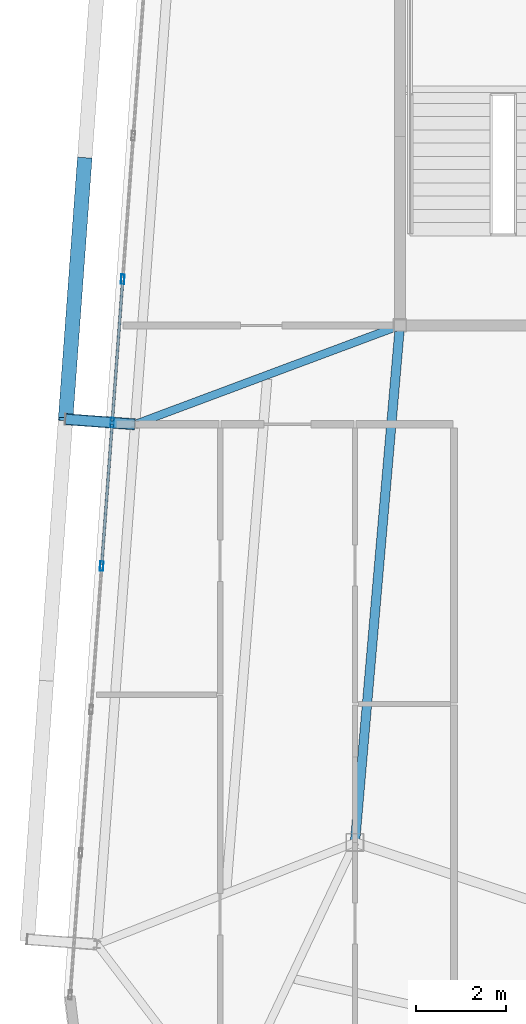
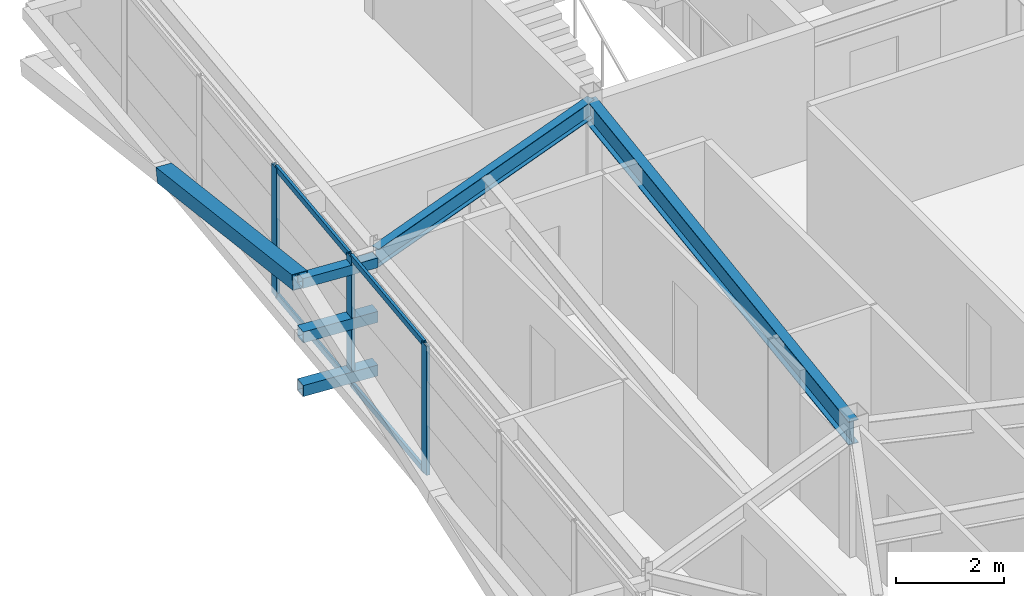
# One storey, part 15 of 42: 11 members, 2 beams, 1 element without a shape of its own.
"""IFC4 building model written with IfcOpenShell, lengths in metres."""

from ifc_helpers import new_model, si_unit, direction, frame, origin, origin_2d, place, context, subcontext, project, spatial, hollow_rectangle, i_section, extrude, source, transform, mapped, material, layer, layer_set, material_profile, profile_set, type_object, element, aggregate, save


model = new_model("IFC4")

# Units and contexts
model_context = context("Model", 3, precision=1e-05, world=origin(), true_north=direction((0.0, 1.0)))
body_context = subcontext(model_context, "Body", "Model", "MODEL_VIEW")
ifc_project = project(units=[si_unit("LENGTHUNIT", "METRE"), si_unit("AREAUNIT", "SQUARE_METRE"), si_unit("VOLUMEUNIT", "CUBIC_METRE"), si_unit("PLANEANGLEUNIT", "RADIAN"), si_unit("MASSUNIT", "GRAM", prefix="KILO")], contexts=[model_context])

# Site, building, storey
site_placement = place(None, origin())
site = spatial("IfcSite", under=ifc_project, at=site_placement, CompositionType="ELEMENT")
building_placement = place(site_placement, origin())
building = spatial("IfcBuilding", under=site, at=building_placement, Name="Taldren Reach Tower", CompositionType="ELEMENT")
storey_placement = place(building_placement, frame((0.0, 0.0, 224.0)))
storey = spatial("IfcBuildingStorey", under=building, at=storey_placement, Name="L68", CompositionType="ELEMENT", Elevation=224.0)

# Beams
ifc_material_1 = material(Name="Steel Gr 350 (350PLUS)", Category="steel")
ifc_material_profile_1 = material_profile(ifc_material_1, i_section(OverallWidth=0.208984375, OverallDepth=0.532958984375, WebThickness=0.01025390625, FlangeThickness=0.015625, at=origin_2d()), Name="530UB92.4")
ifc_profile_set_1 = profile_set([ifc_material_profile_1], Name="Steel Gr 350 (350PLUS)")
beam_type_1 = type_object("IfcBeamType", Name="BM-UB530A", PredefinedType="BEAM", material=ifc_profile_set_1)
shared_shape_1 = source(origin(), body_context, "Body", "SweptSolid", [
    extrude(i_section(OverallWidth=0.208984375, OverallDepth=0.532958984375, WebThickness=0.01025390625, FlangeThickness=0.015625, at=origin_2d()), origin(), (0.0, 0.0, 1.0), 11.54345703125),
])
beam_1_placement = place(storey_placement, frame((19.0, 24.0, 2.66357421875), z_axis=(-0.086629616365, -0.996240588196, 0.0), x_axis=(0.996240588196, -0.086629616365, 0.0)))
element("IfcBeam", 1, at=beam_1_placement, inside=storey, type_object=beam_type_1, Name="Core-spine girder L68-SP09", PredefinedType="BEAM", context=body_context, shape_type="MappedRepresentation", body=[
    mapped(shared_shape_1, transform((0.0, 0.0, 0.0), scale=1.0)),
])
ifc_material_profile_2 = material_profile(ifc_material_1, i_section(OverallWidth=0.177978515625, OverallDepth=0.406005859375, WebThickness=0.0078125, FlangeThickness=0.0126953125, at=origin_2d()), Name="410UB59.7")
ifc_profile_set_2 = profile_set([ifc_material_profile_2], Name="Steel Gr 350 (350PLUS)")
beam_type_2 = type_object("IfcBeamType", Name="BM-UB410", PredefinedType="BEAM", material=ifc_profile_set_2)
shared_shape_2 = source(origin(), body_context, "Body", "SweptSolid", [
    extrude(i_section(OverallWidth=0.177978515625, OverallDepth=0.406005859375, WebThickness=0.0078125, FlangeThickness=0.0126953125, at=origin_2d()), origin(), (0.0, 0.0, 1.0), 6.28857421875),
])
beam_2_placement = place(storey_placement, frame((19.0, 24.0, 2.72705078125), z_axis=(-0.936827605945, -0.349791418904, 0.0), x_axis=(0.349791418904, -0.936827605945, 0.0)))
element("IfcBeam", 2, at=beam_2_placement, inside=storey, type_object=beam_type_2, Name="Primary floor girder B5-W2 L68", PredefinedType="BEAM", context=body_context, shape_type="MappedRepresentation", body=[
    mapped(shared_shape_2, transform((0.0, 0.0, 0.0), scale=1.0)),
])

# Members
ifc_material_2 = material(Name="Steel Gr 450 (C450L0)", Category="steel")
ifc_material_profile_3 = material_profile(ifc_material_2, hollow_rectangle(XDim=0.219970703125, YDim=0.219970703125, WallThickness=0.00830078125, at=origin_2d()), Name="220x220x8.2SHS")
ifc_profile_set_3 = profile_set([ifc_material_profile_3], Name="Steel Gr 450 (C450L0)")
member_type_1 = type_object("IfcMemberType", Name="MB-TIE219", PredefinedType="STRUT", material=ifc_profile_set_3)
shared_shape_3 = source(origin(), body_context, "Body", "SweptSolid", [
    extrude(hollow_rectangle(XDim=0.219970703125, YDim=0.219970703125, WallThickness=0.00830078125, at=origin_2d()), origin(), (0.0, 0.0, 1.0), 1.546142578125),
])
member_1_placement = place(storey_placement, frame((13.104736328125, 21.800537109375, 2.64990234375), z_axis=(-0.997312378271, 0.073266773831, 0.0), x_axis=(-0.073266773831, -0.997312378271, 0.0)))
element("IfcMember", 3, at=member_1_placement, inside=storey, type_object=member_type_1, Name="Exoskeleton diaphragm tie strut B5-W2 L68", PredefinedType="STRUT", context=body_context, shape_type="MappedRepresentation", body=[
    mapped(shared_shape_3, transform((0.0, 0.0, 0.0), scale=1.0)),
])
ifc_material_profile_4 = material_profile(ifc_material_2, hollow_rectangle(XDim=0.324951171875, YDim=0.324951171875, WallThickness=0.0126953125, at=origin_2d()), Name="325x325x12.7SHS")
ifc_profile_set_4 = profile_set([ifc_material_profile_4], Name="Steel Gr 450 (C450L0)")
member_type_2 = type_object("IfcMemberType", Name="MB-BR324", PredefinedType="BRACE", material=ifc_profile_set_4)
shared_shape_4 = source(origin(), body_context, "Body", "SweptSolid", [
    extrude(hollow_rectangle(XDim=0.324951171875, YDim=0.324951171875, WallThickness=0.0126953125, at=origin_2d()), origin(), (0.0, 0.0, 1.0), 5.92578125),
])
member_2_placement = place(storey_placement, frame((11.987548828125, 27.6982421875, 1.43505859375), z_axis=(-0.071686540919, -0.976131732187, 0.205007027365), x_axis=(0.997314185625, -0.073242167855, 0.0)))
element("IfcMember", 4, at=member_2_placement, inside=storey, type_object=member_type_2, Name="Exoskeleton Diagrid Brace B5-W2 L68", PredefinedType="BRACE", context=body_context, shape_type="MappedRepresentation", body=[
    mapped(shared_shape_4, transform((0.0, 0.0, 0.0), scale=1.0)),
])
ifc_material_3 = material(Name="Steel Gr 350 (C350L0)", Category="steel")
ifc_material_profile_5 = material_profile(ifc_material_3, hollow_rectangle(XDim=0.25, YDim=0.25, WallThickness=0.010009765625, at=origin_2d()), Name="250x250x10.0SHS")
ifc_profile_set_5 = profile_set([ifc_material_profile_5], Name="Steel Gr 350 (C350L0)")
member_type_3 = type_object("IfcMemberType", Name="MB-POST250", PredefinedType="POST", material=ifc_profile_set_5)
shared_shape_5 = source(origin(), body_context, "Body", "SweptSolid", [
    extrude(hollow_rectangle(XDim=0.25, YDim=0.25, WallThickness=0.010009765625, at=origin_2d()), origin(), (0.0, 0.0, 1.0), 1.546142578125),
])
for number, where, z_axis, x_axis, name in (
    (5, (13.104736328125, 21.800537109375, 0.219970703125), (-0.997312378271, 0.073266773831, 0.0), (-0.073266773831, -0.997312378271, 0.0), "Exoskeleton base diaphragm tie strut B5-W2 L68"),
    (6, (13.104736328125, 21.800537109375, 1.43505859375), (-0.997312378271, 0.073266773831, 0.0), (-0.073266773831, -0.997312378271, 0.0), "Exoskeleton mid-tier diaphragm tie B5-W2 L68"),
):
    element("IfcMember", number, at=place(storey_placement, frame(where, z_axis=z_axis, x_axis=x_axis)), inside=storey, type_object=member_type_3, Name=name, PredefinedType="POST", context=body_context, shape_type="MappedRepresentation", body=[
        mapped(shared_shape_5, transform((0.0, 0.0, 0.0), scale=1.0)),
    ])

# Curtain wall, members
ifc_material_4 = material(Name="Aluminium and Low-E Glass Unitised System", Category="aluminium")
ifc_layer = layer(ifc_material_4, 0.159912109375)
ifc_layer_set = layer_set([ifc_layer], Name="Aluminium and Low-E Glass Unitised System")
curtain_wall_type = type_object("IfcCurtainWallType", Name="CW-SYS-6", PredefinedType="NOTDEFINED", material=ifc_layer_set)
curtain_wall_placement = place(storey_placement, origin())
curtain_wall = element("IfcCurtainWall", 7, at=curtain_wall_placement, inside=storey, type_object=curtain_wall_type, Name="Unitised curtain wall CW-L68-W", PredefinedType="NOTDEFINED")
ifc_material_5 = material(Name="Anodised Aluminium 6063-T6", Category="aluminium")
ifc_material_profile_6 = material_profile(ifc_material_5, hollow_rectangle(XDim=0.074951171875, YDim=0.2099609375, WallThickness=0.00439453125, at=origin_2d()), Name="ALU-210x75x4.5RHS")
ifc_profile_set_6 = profile_set([ifc_material_profile_6], Name="Anodised Aluminium 6063-T6")
member_type_4 = type_object("IfcMemberType", Name="CW-MUL-200", PredefinedType="MULLION", material=ifc_profile_set_6)
shared_shape_6 = source(origin(), body_context, "Body", "SweptSolid", [
    extrude(hollow_rectangle(XDim=0.074951171875, YDim=0.2099609375, WallThickness=0.00439453125, at=origin_2d()), origin(), (0.0, 0.0, 1.0), 2.929931640625),
])
member_3_placement = place(storey_placement, frame((12.83447265625, 25.029052734375, 0.0), z_axis=(0.0, 0.0, 1.0), x_axis=(0.997314470951, -0.073238282558, 0.0)))
member_3 = element("IfcMember", 8, at=member_3_placement, type_object=member_type_4, Name="CW-6 mullion 4", PredefinedType="MULLION", context=body_context, shape_type="MappedRepresentation", body=[
    mapped(shared_shape_6, transform((0.0, 0.0, 0.0), scale=1.0)),
])
member_4_placement = place(storey_placement, frame((12.60009765625, 21.837646484375, 0.0), z_axis=(0.0, 0.0, 1.0), x_axis=(0.997314470951, -0.073238282558, 0.0)))
member_4 = element("IfcMember", 9, at=member_4_placement, type_object=member_type_4, Name="CW-6 mullion 5", PredefinedType="MULLION", context=body_context, shape_type="MappedRepresentation", body=[
    mapped(shared_shape_6, transform((0.0, 0.0, 0.0), scale=1.0)),
])
member_5_placement = place(storey_placement, frame((12.36572265625, 18.646240234375, 0.0), z_axis=(0.0, 0.0, 1.0), x_axis=(0.997314470951, -0.073238282558, 0.0)))
member_5 = element("IfcMember", 10, at=member_5_placement, type_object=member_type_4, Name="CW-6 mullion 6", PredefinedType="MULLION", context=body_context, shape_type="MappedRepresentation", body=[
    mapped(shared_shape_6, transform((0.0, 0.0, 0.0), scale=1.0)),
])
ifc_material_profile_7 = material_profile(ifc_material_5, hollow_rectangle(XDim=0.06005859375, YDim=0.135009765625, WallThickness=0.00341796875, at=origin_2d()), Name="ALU-135x60x3.5RHS")
ifc_profile_set_7 = profile_set([ifc_material_profile_7], Name="Anodised Aluminium 6063-T6")
member_type_5 = type_object("IfcMemberType", Name="CW-TRN-150", PredefinedType="USERDEFINED", material=ifc_profile_set_7)
shared_shape_7 = source(origin(), body_context, "Body", "SweptSolid", [
    extrude(hollow_rectangle(XDim=0.06005859375, YDim=0.135009765625, WallThickness=0.00341796875, at=origin_2d()), origin(), (0.0, 0.0, 1.0), 3.125),
])
member_6_placement = place(storey_placement, frame((12.831787109375, 24.99169921875, 0.030029296875), z_axis=(-0.073278879567, -0.997311488859, 0.0), x_axis=(0.997311488859, -0.073278879567, 0.0)))
member_6 = element("IfcMember", 11, at=member_6_placement, type_object=member_type_5, Name="CW-6 transom 4.1", ObjectType="TRANSOM", PredefinedType="USERDEFINED", context=body_context, shape_type="MappedRepresentation", body=[
    mapped(shared_shape_7, transform((0.0, 0.0, 0.0), scale=1.0)),
])
member_7_placement = place(storey_placement, frame((12.831787109375, 24.99169921875, 2.89990234375), z_axis=(-0.073278879567, -0.997311488859, 0.0), x_axis=(0.997311488859, -0.073278879567, 0.0)))
member_7 = element("IfcMember", 12, at=member_7_placement, type_object=member_type_5, Name="CW-6 transom 4.2", ObjectType="TRANSOM", PredefinedType="USERDEFINED", context=body_context, shape_type="MappedRepresentation", body=[
    mapped(shared_shape_7, transform((0.0, 0.0, 0.0), scale=1.0)),
])
member_8_placement = place(storey_placement, frame((12.597412109375, 21.80029296875, 0.030029296875), z_axis=(-0.073278879567, -0.997311488859, 0.0), x_axis=(0.997311488859, -0.073278879567, 0.0)))
member_8 = element("IfcMember", 13, at=member_8_placement, type_object=member_type_5, Name="CW-6 transom 5.1", ObjectType="TRANSOM", PredefinedType="USERDEFINED", context=body_context, shape_type="MappedRepresentation", body=[
    mapped(shared_shape_7, transform((0.0, 0.0, 0.0), scale=1.0)),
])
member_9_placement = place(storey_placement, frame((12.597412109375, 21.80029296875, 2.89990234375), z_axis=(-0.073278879567, -0.997311488859, 0.0), x_axis=(0.997311488859, -0.073278879567, 0.0)))
member_9 = element("IfcMember", 14, at=member_9_placement, type_object=member_type_5, Name="CW-6 transom 5.2", ObjectType="TRANSOM", PredefinedType="USERDEFINED", context=body_context, shape_type="MappedRepresentation", body=[
    mapped(shared_shape_7, transform((0.0, 0.0, 0.0), scale=1.0)),
])
aggregate(curtain_wall, [member_3, member_4, member_5, member_6, member_7, member_8, member_9])

save(model, "model.ifc")
